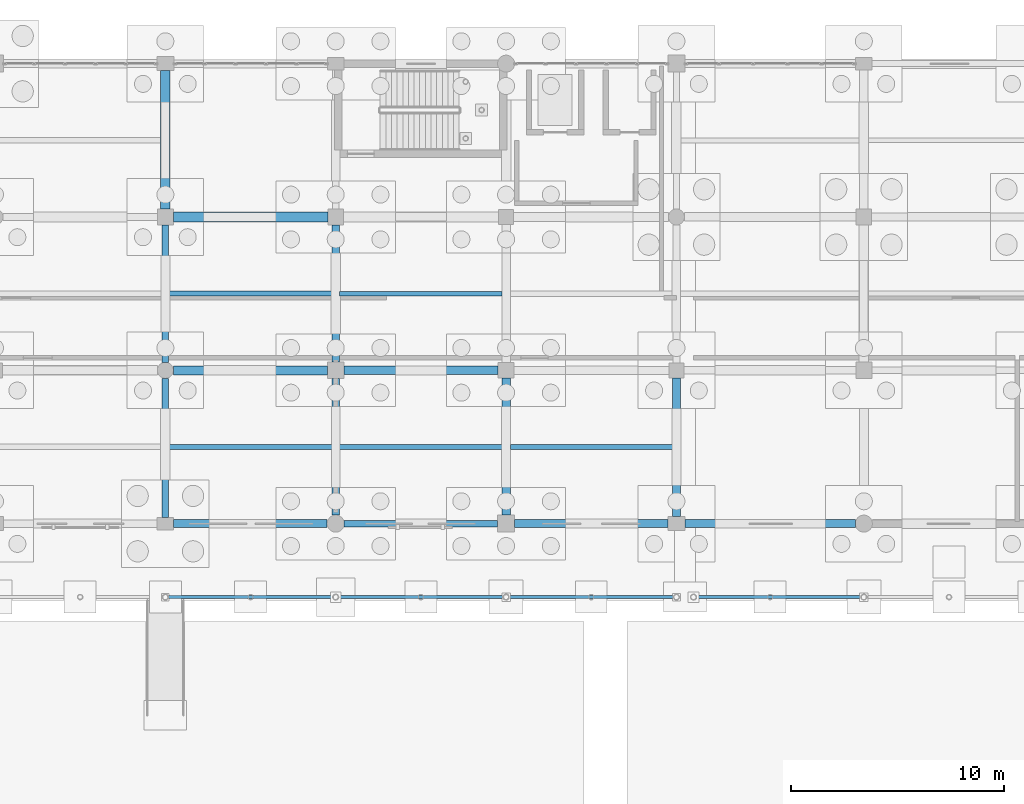
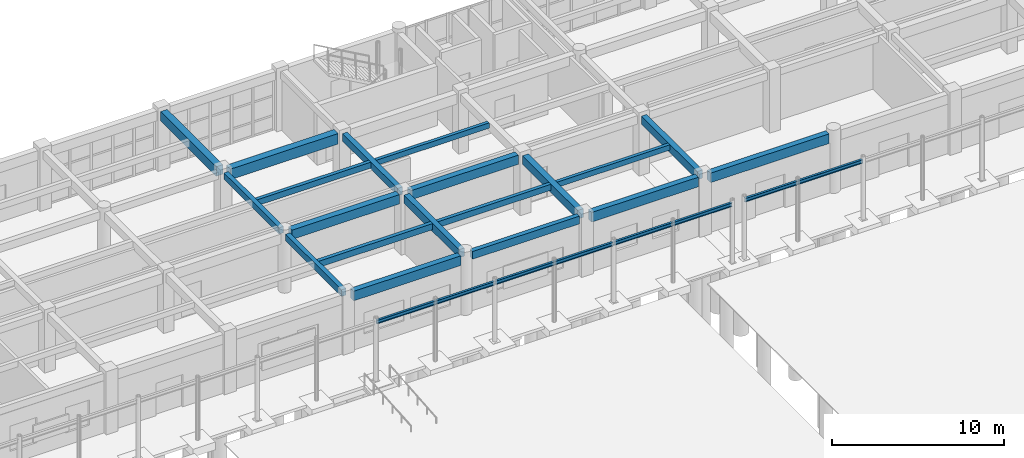
# One storey, part 71 of 166: 23 beams.
"""IFC4 building model written with IfcOpenShell, lengths in metres."""

from ifc_helpers import new_model, si_unit, direction, frame, origin, origin_2d, place, context, subcontext, project, spatial, rectangle, i_section, extrude, material, material_profile, profile_set, type_object, element, save


model = new_model("IFC4")

# Units and contexts
model_context = context("Model", 3, precision=1e-05, world=origin(), true_north=direction((0.0, 1.0)))
body_context = subcontext(model_context, "Body", "Model", "MODEL_VIEW")
ifc_project = project(units=[si_unit("LENGTHUNIT", "METRE"), si_unit("AREAUNIT", "SQUARE_METRE"), si_unit("VOLUMEUNIT", "CUBIC_METRE"), si_unit("PLANEANGLEUNIT", "RADIAN"), si_unit("MASSUNIT", "GRAM", prefix="KILO")], contexts=[model_context])

# Site, building, storey
site_placement = place(None, origin())
site = spatial("IfcSite", under=ifc_project, at=site_placement, CompositionType="ELEMENT")
building_placement = place(site_placement, origin())
building = spatial("IfcBuilding", under=site, at=building_placement, Name="Kharva Crest Polytechnic", CompositionType="ELEMENT")
storey_placement = place(building_placement, origin())
storey = spatial("IfcBuildingStorey", under=building, at=storey_placement, Name="L00", CompositionType="ELEMENT", Elevation=0.0)

# Beams
ifc_material_1 = material(Name="Concrete C35/45", Category="concrete")
ifc_material_profile_1 = material_profile(ifc_material_1, rectangle(XDim=0.300048828125, YDim=0.449951171875, at=origin_2d()), Name="RECT 300 X 450")
ifc_profile_set_1 = profile_set([ifc_material_profile_1], Name="Concrete C35/45")
beam_type_1 = type_object("IfcBeamType", Name="BM-RC-300X450", PredefinedType="BEAM", material=ifc_profile_set_1)
beam_1_placement = place(storey_placement, frame((96.0, 107.97509765625, 3.9951171875), z_axis=(0.0, 1.0, 0.0), x_axis=(-1.0, 0.0, 0.0)))
element("IfcBeam", 1, at=beam_1_placement, inside=storey, type_object=beam_type_1, Name="L00 Girder 13/Q-R", PredefinedType="BEAM", context=body_context, shape_type="SweptSolid", body=[
    extrude(rectangle(XDim=0.300048828125, YDim=0.449951171875, at=origin_2d()), origin(), (0.0, 0.0, 1.0), 6.44482421875),
])
ifc_material_profile_2 = material_profile(ifc_material_1, rectangle(XDim=0.300048828125, YDim=0.47998046875, at=origin_2d()), Name="RECT 300 X 480")
ifc_profile_set_2 = profile_set([ifc_material_profile_2], Name="Concrete C35/45")
beam_type_2 = type_object("IfcBeamType", Name="BM-RC-300X480", PredefinedType="BEAM", material=ifc_profile_set_2)
beam_2_placement = place(storey_placement, frame((96.0, 100.699951171875, 3.97998046875), z_axis=(0.0, 1.0, 0.0), x_axis=(-1.0, 0.0, 0.0)))
element("IfcBeam", 2, at=beam_2_placement, inside=storey, type_object=beam_type_2, Name="L00 Girder 13/P-Q", PredefinedType="BEAM", context=body_context, shape_type="SweptSolid", body=[
    extrude(rectangle(XDim=0.300048828125, YDim=0.47998046875, at=origin_2d()), origin(), (0.0, 0.0, 1.0), 6.525146484375),
])
ifc_material_profile_3 = material_profile(ifc_material_1, rectangle(XDim=0.340087890625, YDim=0.52001953125, at=origin_2d()), Name="RECT 340 X 520")
ifc_profile_set_3 = profile_set([ifc_material_profile_3], Name="Concrete C35/45")
beam_type_3 = type_object("IfcBeamType", Name="BM-RC-340X520", PredefinedType="BEAM", material=ifc_profile_set_3)
beam_3_placement = place(storey_placement, frame((104.0, 107.97998046875, 3.9599609375), z_axis=(0.0, 1.0, 0.0), x_axis=(-1.0, 0.0, 0.0)))
element("IfcBeam", 3, at=beam_3_placement, inside=storey, type_object=beam_type_3, Name="L00 Girder 14/Q-R", PredefinedType="BEAM", context=body_context, shape_type="SweptSolid", body=[
    extrude(rectangle(XDim=0.340087890625, YDim=0.52001953125, at=origin_2d()), origin(), (0.0, 0.0, 1.0), 6.449951171875),
])
ifc_material_profile_4 = material_profile(ifc_material_1, rectangle(XDim=0.360107421875, YDim=0.580078125, at=origin_2d()), Name="RECT 360 X 580")
ifc_profile_set_4 = profile_set([ifc_material_profile_4], Name="Concrete C35/45")
beam_type_4 = type_object("IfcBeamType", Name="BM-RC-360X580", PredefinedType="BEAM", material=ifc_profile_set_4)
beam_4_placement = place(storey_placement, frame((104.0, 100.800048828125, 3.929931640625), z_axis=(0.0, 1.0, 0.0), x_axis=(-1.0, 0.0, 0.0)))
element("IfcBeam", 4, at=beam_4_placement, inside=storey, type_object=beam_type_4, Name="L00 Girder 14/P-Q", PredefinedType="BEAM", context=body_context, shape_type="SweptSolid", body=[
    extrude(rectangle(XDim=0.360107421875, YDim=0.580078125, at=origin_2d()), origin(), (0.0, 0.0, 1.0), 6.419921875),
])
beam_5_placement = place(storey_placement, frame((120.0, 100.72509765625, 3.929931640625), z_axis=(0.0, 1.0, 0.0), x_axis=(-1.0, 0.0, 0.0)))
element("IfcBeam", 5, at=beam_5_placement, inside=storey, type_object=beam_type_4, Name="L00 Girder 16/P-Q", PredefinedType="BEAM", context=body_context, shape_type="SweptSolid", body=[
    extrude(rectangle(XDim=0.360107421875, YDim=0.580078125, at=origin_2d()), origin(), (0.0, 0.0, 1.0), 6.52490234375),
])
ifc_material_profile_5 = material_profile(ifc_material_1, rectangle(XDim=0.39990234375, YDim=0.6201171875, at=origin_2d()), Name="RECT 400 X 620")
ifc_profile_set_5 = profile_set([ifc_material_profile_5], Name="Concrete C35/45")
beam_type_5 = type_object("IfcBeamType", Name="BM-RC-400X620", PredefinedType="BEAM", material=ifc_profile_set_5)
beam_6_placement = place(storey_placement, frame((112.0, 100.800048828125, 3.909912109375), z_axis=(0.0, 1.0, 0.0), x_axis=(-1.0, 0.0, 0.0)))
element("IfcBeam", 6, at=beam_6_placement, inside=storey, type_object=beam_type_5, Name="L00 Girder 15/P-Q", PredefinedType="BEAM", context=body_context, shape_type="SweptSolid", body=[
    extrude(rectangle(XDim=0.39990234375, YDim=0.6201171875, at=origin_2d()), origin(), (0.0, 0.0, 1.0), 6.429931640625),
])
ifc_material_profile_6 = material_profile(ifc_material_1, rectangle(XDim=0.39990234375, YDim=0.64990234375, at=origin_2d()), Name="RECT 400 X 650")
ifc_profile_set_6 = profile_set([ifc_material_profile_6], Name="Concrete C35/45")
beam_type_6 = type_object("IfcBeamType", Name="BM-RC-400X650", PredefinedType="BEAM", material=ifc_profile_set_6)
beam_7_placement = place(storey_placement, frame((104.3798828125, 107.60009765625, 3.89501953125), z_axis=(1.0, 0.0, 0.0), x_axis=(0.0, 1.0, 0.0)))
element("IfcBeam", 7, at=beam_7_placement, inside=storey, type_object=beam_type_6, Name="L00 Beam Q/14-15", PredefinedType="BEAM", context=body_context, shape_type="SweptSolid", body=[
    extrude(rectangle(XDim=0.39990234375, YDim=0.64990234375, at=origin_2d()), origin(), (0.0, 0.0, 1.0), 7.25),
])
ifc_material_profile_7 = material_profile(ifc_material_1, rectangle(XDim=0.419921875, YDim=0.659912109375, at=origin_2d()), Name="RECT 420 X 660")
ifc_profile_set_7 = profile_set([ifc_material_profile_7], Name="Concrete C35/45")
beam_type_7 = type_object("IfcBeamType", Name="BM-RC-420X660", PredefinedType="BEAM", material=ifc_profile_set_7)
beam_8_placement = place(storey_placement, frame((96.375, 107.60009765625, 3.889892578125), z_axis=(1.0, 0.0, 0.0), x_axis=(0.0, 1.0, 0.0)))
element("IfcBeam", 8, at=beam_8_placement, inside=storey, type_object=beam_type_7, Name="L00 Beam Q/13-14", PredefinedType="BEAM", context=body_context, shape_type="SweptSolid", body=[
    extrude(rectangle(XDim=0.419921875, YDim=0.659912109375, at=origin_2d()), origin(), (0.0, 0.0, 1.0), 7.2451171875),
])
ifc_material_profile_8 = material_profile(ifc_material_1, rectangle(XDim=0.449951171875, YDim=0.679931640625, at=origin_2d()), Name="RECT 450 X 680")
ifc_profile_set_8 = profile_set([ifc_material_profile_8], Name="Concrete C35/45")
beam_type_8 = type_object("IfcBeamType", Name="BM-RC-450X680", PredefinedType="BEAM", material=ifc_profile_set_8)
beam_9_placement = place(storey_placement, frame((96.0, 115.179931640625, 3.8798828125), z_axis=(0.0, 1.0, 0.0), x_axis=(-1.0, 0.0, 0.0)))
element("IfcBeam", 9, at=beam_9_placement, inside=storey, type_object=beam_type_8, Name="L00 Girder 13/R-S", PredefinedType="BEAM", context=body_context, shape_type="SweptSolid", body=[
    extrude(rectangle(XDim=0.449951171875, YDim=0.679931640625, at=origin_2d()), origin(), (0.0, 0.0, 1.0), 6.4951171875),
])
ifc_material_profile_9 = material_profile(ifc_material_1, rectangle(XDim=0.47998046875, YDim=0.75, at=origin_2d()), Name="RECT 480 X 750")
ifc_profile_set_9 = profile_set([ifc_material_profile_9], Name="Concrete C35/45")
beam_type_9 = type_object("IfcBeamType", Name="BM-RC-480X750", PredefinedType="BEAM", material=ifc_profile_set_9)
beam_10_placement = place(storey_placement, frame((96.3798828125, 114.800048828125, 3.844970703125), z_axis=(1.0, 0.0, 0.0), x_axis=(0.0, 1.0, 0.0)))
element("IfcBeam", 10, at=beam_10_placement, inside=storey, type_object=beam_type_9, Name="L00 Beam R/13-14", PredefinedType="BEAM", context=body_context, shape_type="SweptSolid", body=[
    extrude(rectangle(XDim=0.47998046875, YDim=0.75, at=origin_2d()), origin(), (0.0, 0.0, 1.0), 7.25),
])
ifc_material_2 = material(Name="Steel S355", Category="steel")
ifc_material_profile_10 = material_profile(ifc_material_2, i_section(OverallWidth=0.14794921875, OverallDepth=0.26611328125, WebThickness=0.007568359375, FlangeThickness=0.012939453125, at=origin_2d()), Name="W250X44.8")
ifc_profile_set_10 = profile_set([ifc_material_profile_10], Name="Steel S355")
beam_type_10 = type_object("IfcBeamType", Name="BM-STL-W250X44", PredefinedType="SPANDREL", material=ifc_profile_set_10)
for number, where, z_axis, x_axis, name in (
    (11, (96.02001953125, 96.949951171875, 4.156982421875), (1.0, 0.0, 0.0), (0.0, 1.0, 0.0), "L00 North Veranda Beam 6"),
    (12, (104.02001953125, 96.949951171875, 4.156982421875), (1.0, 0.0, 0.0), (0.0, 1.0, 0.0), "L00 North Veranda Beam 7"),
    (13, (112.02001953125, 96.949951171875, 4.156982421875), (1.0, 0.0, 0.0), (0.0, 1.0, 0.0), "L00 North Veranda Beam 8"),
    (14, (120.820068359375, 96.949951171875, 4.156982421875), (1.0, 0.0, 0.0), (0.0, 1.0, 0.0), "L00 North Veranda Beam 10"),
):
    element("IfcBeam", number, at=place(storey_placement, frame(where, z_axis=z_axis, x_axis=x_axis)), inside=storey, type_object=beam_type_10, Name=name, PredefinedType="SPANDREL", context=body_context, shape_type="SweptSolid", body=[
        extrude(i_section(OverallWidth=0.14794921875, OverallDepth=0.26611328125, WebThickness=0.007568359375, FlangeThickness=0.012939453125, at=origin_2d()), origin(), (0.0, 0.0, 1.0), 7.9599609375),
    ])
ifc_material_profile_11 = material_profile(ifc_material_1, rectangle(XDim=0.219970703125, YDim=0.3798828125, at=origin_2d()), Name="RECT 220 X 380")
ifc_profile_set_11 = profile_set([ifc_material_profile_11], Name="Concrete C35/45")
beam_type_11 = type_object("IfcBeamType", Name="JS-RC-220X380", PredefinedType="JOIST", material=ifc_profile_set_11)
beam_11_placement = place(storey_placement, frame((112.199951171875, 104.0, 4.030029296875), z_axis=(1.0, 0.0, 0.0), x_axis=(0.0, 1.0, 0.0)))
element("IfcBeam", 15, at=beam_11_placement, inside=storey, type_object=beam_type_11, Name="L00 Floor Joist 18", PredefinedType="JOIST", context=body_context, shape_type="SweptSolid", body=[
    extrude(rectangle(XDim=0.219970703125, YDim=0.3798828125, at=origin_2d()), origin(), (0.0, 0.0, 1.0), 7.6201171875),
])
beam_12_placement = place(storey_placement, frame((104.169921875, 111.199951171875, 4.030029296875), z_axis=(1.0, 0.0, 0.0), x_axis=(0.0, 1.0, 0.0)))
element("IfcBeam", 16, at=beam_12_placement, inside=storey, type_object=beam_type_11, Name="L00 Floor Joist 34", PredefinedType="JOIST", context=body_context, shape_type="SweptSolid", body=[
    extrude(rectangle(XDim=0.219970703125, YDim=0.3798828125, at=origin_2d()), origin(), (0.0, 0.0, 1.0), 7.630126953125),
])
ifc_material_profile_12 = material_profile(ifc_material_1, rectangle(XDim=0.239990234375, YDim=0.419921875, at=origin_2d()), Name="RECT 240 X 420")
ifc_profile_set_12 = profile_set([ifc_material_profile_12], Name="Concrete C35/45")
beam_type_12 = type_object("IfcBeamType", Name="JS-RC-240X420", PredefinedType="JOIST", material=ifc_profile_set_12)
beam_13_placement = place(storey_placement, frame((104.179931640625, 104.0, 4.010009765625), z_axis=(1.0, 0.0, 0.0), x_axis=(0.0, 1.0, 0.0)))
element("IfcBeam", 17, at=beam_13_placement, inside=storey, type_object=beam_type_12, Name="L00 Floor Joist 17", PredefinedType="JOIST", context=body_context, shape_type="SweptSolid", body=[
    extrude(rectangle(XDim=0.239990234375, YDim=0.419921875, at=origin_2d()), origin(), (0.0, 0.0, 1.0), 7.6201171875),
])
beam_14_placement = place(storey_placement, frame((96.14990234375, 111.199951171875, 4.010009765625), z_axis=(1.0, 0.0, 0.0), x_axis=(0.0, 1.0, 0.0)))
element("IfcBeam", 18, at=beam_14_placement, inside=storey, type_object=beam_type_12, Name="L00 Floor Joist 33", PredefinedType="JOIST", context=body_context, shape_type="SweptSolid", body=[
    extrude(rectangle(XDim=0.239990234375, YDim=0.419921875, at=origin_2d()), origin(), (0.0, 0.0, 1.0), 7.68017578125),
])
ifc_material_profile_13 = material_profile(ifc_material_1, rectangle(XDim=0.25, YDim=0.43994140625, at=origin_2d()), Name="RECT 250 X 440")
ifc_profile_set_13 = profile_set([ifc_material_profile_13], Name="Concrete C35/45")
beam_type_13 = type_object("IfcBeamType", Name="JS-RC-250X440", PredefinedType="JOIST", material=ifc_profile_set_13)
beam_15_placement = place(storey_placement, frame((96.14990234375, 104.0, 4.0), z_axis=(1.0, 0.0, 0.0), x_axis=(0.0, 1.0, 0.0)))
element("IfcBeam", 19, at=beam_15_placement, inside=storey, type_object=beam_type_13, Name="L00 Floor Joist 16", PredefinedType="JOIST", context=body_context, shape_type="SweptSolid", body=[
    extrude(rectangle(XDim=0.25, YDim=0.43994140625, at=origin_2d()), origin(), (0.0, 0.0, 1.0), 7.670166015625),
])
ifc_material_profile_14 = material_profile(ifc_material_1, rectangle(XDim=0.300048828125, YDim=0.550048828125, at=origin_2d()), Name="RECT 300 X 550")
ifc_profile_set_14 = profile_set([ifc_material_profile_14], Name="Concrete C35/45")
beam_type_14 = type_object("IfcBeamType", Name="SP-RC-300X550", PredefinedType="SPANDREL", material=ifc_profile_set_14)
beam_16_placement = place(storey_placement, frame((104.39990234375, 100.39990234375, 3.945068359375), z_axis=(1.0, 0.0, 0.0), x_axis=(0.0, 1.0, 0.0)))
element("IfcBeam", 20, at=beam_16_placement, inside=storey, type_object=beam_type_14, Name="L00 Beam P/14-15", PredefinedType="SPANDREL", context=body_context, shape_type="SweptSolid", body=[
    extrude(rectangle(XDim=0.300048828125, YDim=0.550048828125, at=origin_2d()), origin(), (0.0, 0.0, 1.0), 7.2001953125),
])
ifc_material_profile_15 = material_profile(ifc_material_1, rectangle(XDim=0.3798828125, YDim=0.679931640625, at=origin_2d()), Name="RECT 380 X 680")
ifc_profile_set_15 = profile_set([ifc_material_profile_15], Name="Concrete C35/45")
beam_type_15 = type_object("IfcBeamType", Name="SP-RC-380X680", PredefinedType="SPANDREL", material=ifc_profile_set_15)
beam_17_placement = place(storey_placement, frame((96.389892578125, 100.39990234375, 3.8798828125), z_axis=(1.0, 0.0, 0.0), x_axis=(0.0, 1.0, 0.0)))
element("IfcBeam", 21, at=beam_17_placement, inside=storey, type_object=beam_type_15, Name="L00 Beam P/13-14", PredefinedType="SPANDREL", context=body_context, shape_type="SweptSolid", body=[
    extrude(rectangle(XDim=0.3798828125, YDim=0.679931640625, at=origin_2d()), origin(), (0.0, 0.0, 1.0), 7.210205078125),
])
beam_18_placement = place(storey_placement, frame((112.39990234375, 100.39990234375, 3.8798828125), z_axis=(1.0, 0.0, 0.0), x_axis=(0.0, 1.0, 0.0)))
element("IfcBeam", 22, at=beam_18_placement, inside=storey, type_object=beam_type_15, Name="L00 Beam P/15-16", PredefinedType="SPANDREL", context=body_context, shape_type="SweptSolid", body=[
    extrude(rectangle(XDim=0.3798828125, YDim=0.679931640625, at=origin_2d()), origin(), (0.0, 0.0, 1.0), 7.2001953125),
])
beam_19_placement = place(storey_placement, frame((120.39990234375, 100.39990234375, 3.8798828125), z_axis=(1.0, 0.0, 0.0), x_axis=(0.0, 1.0, 0.0)))
element("IfcBeam", 23, at=beam_19_placement, inside=storey, type_object=beam_type_15, Name="L00 Beam P/16-17", PredefinedType="SPANDREL", context=body_context, shape_type="SweptSolid", body=[
    extrude(rectangle(XDim=0.3798828125, YDim=0.679931640625, at=origin_2d()), origin(), (0.0, 0.0, 1.0), 8.0),
])

save(model, "model.ifc")
